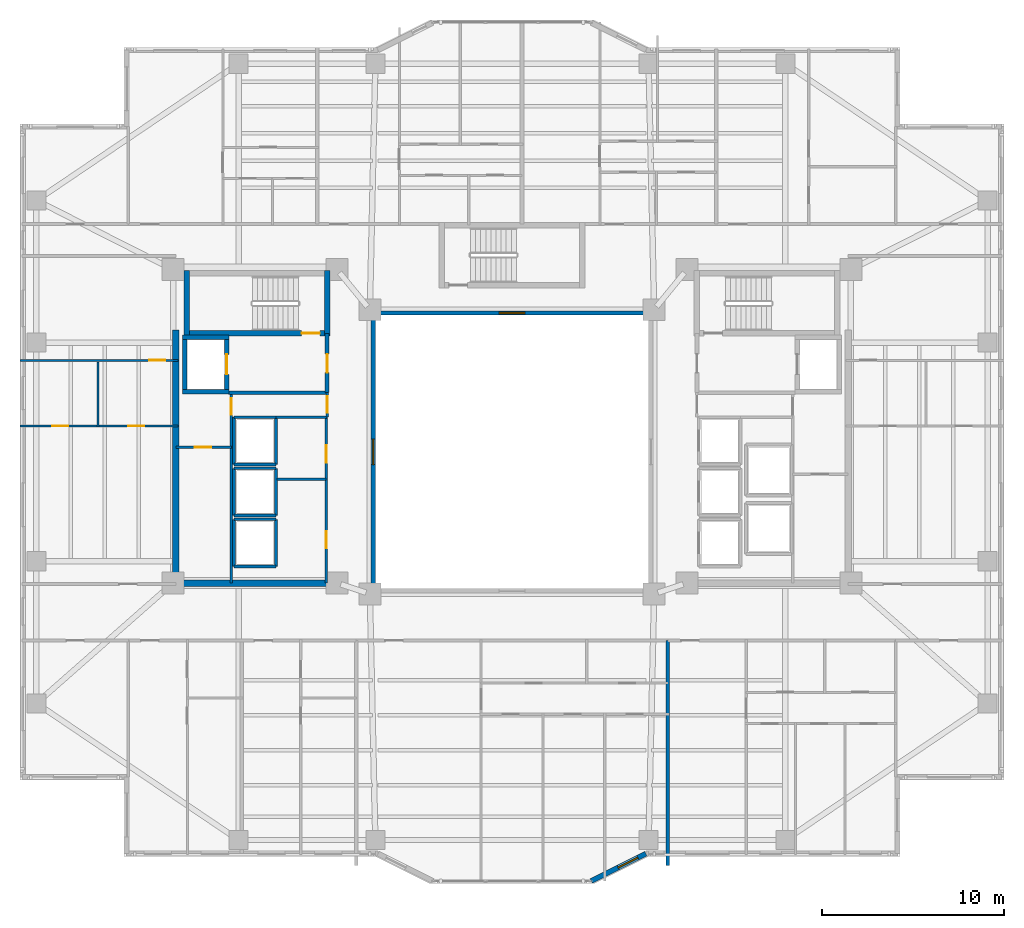
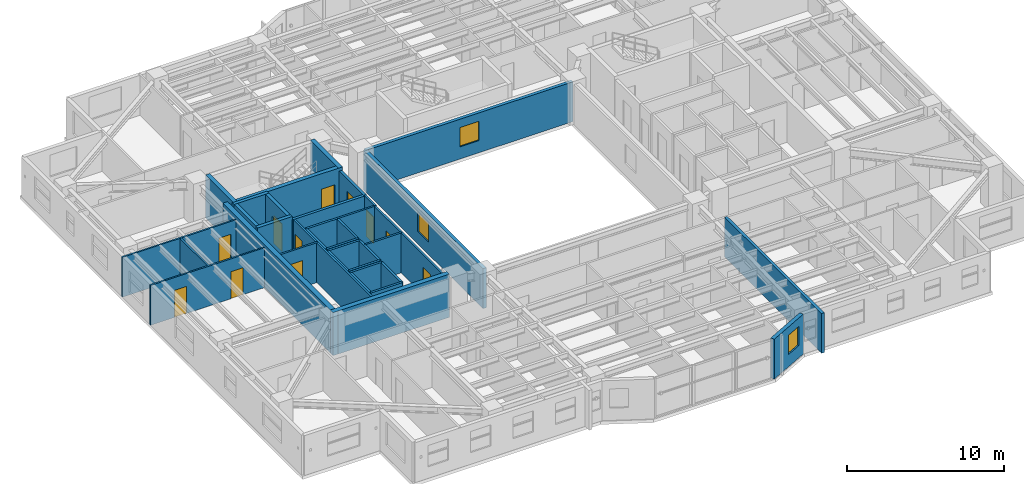
# One storey, part 7 of 19: 36 walls, 11 doors, 3 windows, 14 openings.
"""IFC4 building model written with IfcOpenShell, lengths in metres."""

import ifcopenshell
import ifcopenshell.guid

model = None  # the IFC model being written
_history = None  # IfcOwnerHistory: only IFC2X3 demands one
_inside = {}  # id of a spatial element -> (the spatial element, [elements in it])
_under = {}  # id of a project, library or spatial element -> (it, [spatial elements below it])
_declared = {}  # id of a project -> (the project, [libraries it declares])
_typed = {}  # id of a type object -> (the type object, [elements of that type])
_made_of = {}  # id of a material, layer set ... -> (it, [elements and type objects made of it])


def new_model(schema):
    """Start an empty IFC model of exactly this schema.

    Asked for "IFC4X3", IfcOpenShell would pick the latest addendum, in which some entities
    have other attributes; the version numbers below select the first issue.
    IFC2X3 requires an IfcOwnerHistory on every rooted entity: one is made here for all.
    """
    global model, _history
    if schema == "IFC4X3":
        model = ifcopenshell.file(schema_version=(4, 3, 0, 0))
    else:
        model = ifcopenshell.file(schema=schema)
    _inside.clear()
    _under.clear()
    _declared.clear()
    _typed.clear()
    _made_of.clear()
    _history = None
    if model.schema == "IFC2X3":
        org = make("IfcOrganization", Name="unknown")
        user = make(
            "IfcPersonAndOrganization",
            ThePerson=make("IfcPerson", FamilyName="unknown"),
            TheOrganization=org,
        )
        app = make(
            "IfcApplication",
            ApplicationDeveloper=org,
            Version="unknown",
            ApplicationFullName="unknown",
            ApplicationIdentifier="unknown",
        )
        _history = make(
            "IfcOwnerHistory",
            OwningUser=user,
            OwningApplication=app,
            ChangeAction="ADDED",
            CreationDate=0,
        )
    return model


def make(cls, **values):
    """One entity of the class cls with the attributes given. An attribute that is None is left unset."""
    return model.create_entity(
        cls, **{name: value for name, value in values.items() if value is not None}
    )


def rooted(cls, **values):
    """An entity with a GlobalId (a new one), such as an element, a storey or a relation."""
    return make(cls, GlobalId=ifcopenshell.guid.new(), OwnerHistory=_history, **values)


def si_unit(unit_type, name, prefix=None):
    """IfcSIUnit, for example si_unit("LENGTHUNIT", "METRE", prefix="MILLI")."""
    return make("IfcSIUnit", UnitType=unit_type, Prefix=prefix, Name=name)


def assignment(units):
    """IfcUnitAssignment: the units of a project."""
    return None if units is None else make("IfcUnitAssignment", Units=units)


def point(xyz):
    """IfcCartesianPoint."""
    return None if xyz is None else make("IfcCartesianPoint", Coordinates=xyz)


def direction(xyz):
    """IfcDirection."""
    return None if xyz is None else make("IfcDirection", DirectionRatios=xyz)


def frame(location, z_axis=None, x_axis=None):
    """IfcAxis2Placement3D, a coordinate frame: its origin and axes. An axis left out is left unset."""
    return make(
        "IfcAxis2Placement3D",
        Location=point(location),
        Axis=direction(z_axis),
        RefDirection=direction(x_axis),
    )


def frame_2d(location, x_axis=None):
    """IfcAxis2Placement2D, a coordinate frame in the plane: its origin and x axis."""
    return make(
        "IfcAxis2Placement2D", Location=point(location), RefDirection=direction(x_axis)
    )


def origin():
    """The frame at (0, 0, 0) with its axes left unset."""
    return frame((0.0, 0.0, 0.0))


def place(relative_to, where):
    """IfcLocalPlacement: puts the frame where relative to a parent placement (None: the world)."""
    return make(
        "IfcLocalPlacement", PlacementRelTo=relative_to, RelativePlacement=where
    )


def context(
    kind, dimensions, precision=None, world=None, true_north=None, identifier=None
):
    """IfcGeometricRepresentationContext, for example the 3D "Model" context."""
    return make(
        "IfcGeometricRepresentationContext",
        ContextIdentifier=identifier,
        ContextType=kind,
        CoordinateSpaceDimension=dimensions,
        Precision=precision,
        WorldCoordinateSystem=world,
        TrueNorth=true_north,
    )


def subcontext(parent, identifier, kind, view, scale=None):
    """IfcGeometricRepresentationSubContext, for example "Body" below "Model"."""
    return make(
        "IfcGeometricRepresentationSubContext",
        ContextIdentifier=identifier,
        ContextType=kind,
        ParentContext=parent,
        TargetScale=scale,
        TargetView=view,
    )


def project(units=None, contexts=None):
    """IfcProject with its units and contexts."""
    return rooted(
        "IfcProject",
        Name="project",
        RepresentationContexts=contexts,
        UnitsInContext=assignment(units),
    )


def spatial(cls, under=None, at=None, **own):
    """A site, building, storey or space (cls), placed at a placement, below another one or the project."""
    s = rooted(cls, ObjectPlacement=at, **own)
    if under is not None:
        _under.setdefault(under.id(), (under, []))[1].append(s)
    return s


def profile(cls, at=None, kind="AREA", **sizes):
    """A parametric profile (cls). Its sizes go by their IFC names, for example OverallWidth=200.0."""
    return make(cls, ProfileType=kind, Position=at, **sizes)


def rectangle(**sizes):
    """IfcRectangleProfileDef."""
    return profile("IfcRectangleProfileDef", **sizes)


def extrude(swept, where, along, depth):
    """IfcExtrudedAreaSolid: the profile swept, set in the frame where, extruded along a direction by depth."""
    return make(
        "IfcExtrudedAreaSolid",
        SweptArea=swept,
        Position=where,
        ExtrudedDirection=direction(along),
        Depth=depth,
    )


def shape(context_of_items, identifier, shape_type, items):
    """IfcShapeRepresentation: the items that make up one representation, for example the "Body"."""
    return make(
        "IfcShapeRepresentation",
        ContextOfItems=context_of_items,
        RepresentationIdentifier=identifier,
        RepresentationType=shape_type,
        Items=items,
    )


def material(Name=None, Category=None):
    """IfcMaterial."""
    return make("IfcMaterial", Name=Name, Category=Category)


def layer(
    of_material, thickness, ventilated=None, Name=None, Category=None, Priority=None
):
    """IfcMaterialLayer: one layer of a wall or slab, of a material (None: an air gap)."""
    return make(
        "IfcMaterialLayer",
        Material=of_material,
        LayerThickness=thickness,
        IsVentilated=ventilated,
        Name=Name,
        Category=Category,
        Priority=Priority,
    )


def layer_set(layers, Name=None):
    """IfcMaterialLayerSet."""
    return make("IfcMaterialLayerSet", MaterialLayers=layers, LayerSetName=Name)


def made_of(thing, what):
    """Note that an element or type object is made of a material, layer set ...; save() writes the relation."""
    if what is not None:
        _made_of.setdefault(what.id(), (what, []))[1].append(thing)
    return thing


def type_object(cls, material=None, **own):
    """A type object (cls), such as IfcWallType, which elements share."""
    return made_of(rooted(cls, **own), material)


def element(
    cls,
    number,
    at=None,
    inside=None,
    cuts=None,
    type_object=None,
    material=None,
    context=None,
    identifier="Body",
    shape_type=None,
    held_by="IfcProductDefinitionShape",
    body=None,
    shapes=None,
    **own,
):
    """One element of the class cls, such as IfcWall. Its Tag is "e" and its number.

    at: its placement. inside: the storey or other place that contains it. cuts: it is an
    opening in that element (IfcRelVoidsElement). A single representation is given by context,
    identifier, shape_type and body (its items); several are given by shapes. held_by: the class
    of the entity that holds the representations. save() writes the other relations.
    """
    e = rooted(cls, Tag="e%d" % number, ObjectPlacement=at, **own)
    if body is not None:
        shapes = [shape(context, identifier, shape_type, body)]
    if shapes is not None:
        e.Representation = make(held_by, Representations=shapes)
    if inside is not None:
        _inside.setdefault(inside.id(), (inside, []))[1].append(e)
    if cuts is not None:
        rooted(
            "IfcRelVoidsElement", RelatingBuildingElement=cuts, RelatedOpeningElement=e
        )
    if type_object is not None:
        _typed.setdefault(type_object.id(), (type_object, []))[1].append(e)
    return made_of(e, material)


def fill(opening, filler):
    """IfcRelFillsElement: the door or window that sits in an opening."""
    return rooted(
        "IfcRelFillsElement",
        RelatingOpeningElement=opening,
        RelatedBuildingElement=filler,
    )


def aggregate(whole, parts):
    """IfcRelAggregates: a whole, such as a stair, and the parts it consists of."""
    return rooted("IfcRelAggregates", RelatingObject=whole, RelatedObjects=parts)


def save(model, path):
    """Write the relations noted so far, then the file.

    IfcRelAggregates (storeys below a building ...), IfcRelContainedInSpatialStructure (elements
    in a storey), IfcRelDefinesByType, IfcRelAssociatesMaterial and IfcRelDeclares: one each for
    every whole, place, type object, material and project.
    """
    for whole, parts in _under.values():
        aggregate(whole, parts)
    for where, things in _inside.values():
        rooted(
            "IfcRelContainedInSpatialStructure",
            RelatedElements=things,
            RelatingStructure=where,
        )
    for kind, things in _typed.values():
        rooted("IfcRelDefinesByType", RelatedObjects=things, RelatingType=kind)
    for what, things in _made_of.values():
        rooted("IfcRelAssociatesMaterial", RelatedObjects=things, RelatingMaterial=what)
    for by, libraries in _declared.values():
        rooted("IfcRelDeclares", RelatingContext=by, RelatedDefinitions=libraries)
    model.write(path)


model = new_model("IFC4")

# Units and contexts
model_context = context("Model", 3, precision=1e-05, world=origin(), true_north=direction((0.0, 1.0)))
body_context = subcontext(model_context, "Body", "Model", "MODEL_VIEW")
ifc_project = project(units=[si_unit("LENGTHUNIT", "METRE"), si_unit("AREAUNIT", "SQUARE_METRE"), si_unit("VOLUMEUNIT", "CUBIC_METRE"), si_unit("PLANEANGLEUNIT", "RADIAN"), si_unit("MASSUNIT", "GRAM", prefix="KILO")], contexts=[model_context])

# Site, building, storey
site_placement = place(None, origin())
site = spatial("IfcSite", under=ifc_project, at=site_placement, CompositionType="ELEMENT")
building_placement = place(site_placement, origin())
building = spatial("IfcBuilding", under=site, at=building_placement, Name="Tarnavaz Court Tower", CompositionType="ELEMENT")
storey_placement = place(building_placement, frame((0.0, 0.0, 111.800048828125)))
storey = spatial("IfcBuildingStorey", under=building, at=storey_placement, Name="L30", CompositionType="ELEMENT", Elevation=111.800048828125)

# Wall
ifc_material_1 = material(Name="Concrete C60/75", Category="concrete")
ifc_layer_1 = layer(ifc_material_1, 0.25)
ifc_layer_set_1 = layer_set([ifc_layer_1], Name="Concrete C60/75")
wall_type_1 = type_object("IfcWallType", Name="WL-CORE-250-C60", PredefinedType="SHEAR", material=ifc_layer_set_1)
wall_1_placement = place(storey_placement, frame((-17.949951171875, 3.175048828125, 0.0), z_axis=(0.0, 0.0, 1.0), x_axis=(0.0, 1.0, 0.0)))
element("IfcWall", 1, at=wall_1_placement, inside=storey, type_object=wall_type_1, Name="L30 Lift FL-W1 Shaft Wall 017", PredefinedType="SHEAR", context=body_context, shape_type="SweptSolid", body=[
    extrude(rectangle(XDim=3.25, YDim=0.25, at=frame_2d((1.625, 0.0))), origin(), (0.0, 0.0, 1.0), 3.349853515625),
])

# Wall, opening, door
wall_2_placement = place(storey_placement, frame((-15.64990234375, 3.175048828125, 0.0), z_axis=(0.0, 0.0, 1.0), x_axis=(0.0, 1.0, 0.0)))
wall_2 = element("IfcWall", 2, at=wall_2_placement, inside=storey, type_object=wall_type_1, Name="L30 Lift FL-W1 Shaft Wall 018", PredefinedType="SHEAR", context=body_context, shape_type="SweptSolid", body=[
    extrude(rectangle(XDim=3.25, YDim=0.25, at=frame_2d((1.625, 0.0))), origin(), (0.0, 0.0, 1.0), 3.349853515625),
])
opening_1_placement = place(wall_2_placement, frame((1.074951171875, 0.0, 0.0)))
opening_1 = element("IfcOpeningElement", 3, at=opening_1_placement, cuts=wall_2, Name="Opening LD1", PredefinedType="OPENING", context=body_context, shape_type="SweptSolid", body=[
    extrude(rectangle(XDim=1.10009765625, YDim=2.14990234375, at=frame_2d((0.550048828125, 1.074951171875))), frame((0.0, 0.135009765625, 0.0), z_axis=(0.0, -1.0, 0.0), x_axis=(1.0, 0.0, 0.0)), (0.0, 0.0, 1.0), 0.27001953125),
])
ifc_material_2 = material(Name="Stainless Steel", Category="steel")
door_type_1 = type_object("IfcDoorType", Name="DR-LD-1100", OperationType="NOTDEFINED", PredefinedType="DOOR", material=ifc_material_2)
door_1_placement = place(opening_1_placement, origin())
door_1 = element("IfcDoor", 4, at=door_1_placement, inside=storey, type_object=door_type_1, Name="L30 Lift Landing Door LD-FL-W1", OperationType="SLIDING_TO_LEFT", OverallHeight=2.14990234375, OverallWidth=1.10009765625, PredefinedType="DOOR", context=body_context, shape_type="SweptSolid", body=[
    extrude(rectangle(XDim=1.10009765625, YDim=2.14990234375, at=frame_2d((0.550048828125, 1.074951171875))), frame((0.0, 0.02490234375, 0.0), z_axis=(0.0, -1.0, 0.0), x_axis=(1.0, 0.0, 0.0)), (0.0, 0.0, 1.0), 0.050048828125),
])
fill(opening_1, door_1)

# Walls
for number, where, z_axis, x_axis, name in (
    (5, (-18.074951171875, 3.300048828125, 0.0), (0.0, 0.0, 1.0), (1.0, 0.0, 0.0), "L30 Lift FL-W1 Shaft Wall 019"),
    (6, (-18.074951171875, 6.300048828125, 0.0), (0.0, 0.0, 1.0), (1.0, 0.0, 0.0), "L30 Lift FL-W1 Shaft Wall 020"),
):
    element("IfcWall", number, at=place(storey_placement, frame(where, z_axis=z_axis, x_axis=x_axis)), inside=storey, type_object=wall_type_1, Name=name, PredefinedType="SHEAR", context=body_context, shape_type="SweptSolid", body=[
        extrude(rectangle(XDim=2.550048828125, YDim=0.25, at=frame_2d((1.27490234375, 0.0))), origin(), (0.0, 0.0, 1.0), 3.349853515625),
    ])

# Wall, opening, door
ifc_layer_2 = layer(ifc_material_1, 0.300048828125)
ifc_layer_set_2 = layer_set([ifc_layer_2], Name="Concrete C60/75")
wall_type_2 = type_object("IfcWallType", Name="WL-CORE-300-C60", PredefinedType="SHEAR", material=ifc_layer_set_2)
wall_3_placement = place(storey_placement, frame((-18.0, 6.5, 0.0), z_axis=(0.0, 0.0, 1.0), x_axis=(1.0, 0.0, 0.0)))
wall_3 = element("IfcWall", 7, at=wall_3_placement, inside=storey, type_object=wall_type_2, Name="L30 West Stair Core Wall 002", PredefinedType="SHEAR", context=body_context, shape_type="SweptSolid", body=[
    extrude(rectangle(XDim=8.0, YDim=0.300048828125, at=frame_2d((4.0, 0.0))), origin(), (0.0, 0.0, 1.0), 3.349853515625),
])
opening_2_placement = place(wall_3_placement, frame((6.449951171875, 0.0, 0.0)))
opening_2 = element("IfcOpeningElement", 8, at=opening_2_placement, cuts=wall_3, Name="Opening D01", PredefinedType="OPENING", context=body_context, shape_type="SweptSolid", body=[
    extrude(rectangle(XDim=1.0, YDim=2.14990234375, at=frame_2d((0.5, 1.074951171875))), frame((0.0, 0.159912109375, 0.0), z_axis=(0.0, -1.0, 0.0), x_axis=(1.0, 0.0, 0.0)), (0.0, 0.0, 1.0), 0.320068359375),
])
ifc_material_3 = material(Name="Fire-Rated Hardwood Timber Core", Category="wood")
door_type_2 = type_object("IfcDoorType", Name="DR-FD90-1000", OperationType="NOTDEFINED", PredefinedType="DOOR", material=ifc_material_3)
door_2_placement = place(opening_2_placement, origin())
door_2 = element("IfcDoor", 9, at=door_2_placement, inside=storey, type_object=door_type_2, Name="L30 Stair ST-W1 Exit Door", OperationType="SINGLE_SWING_LEFT", OverallHeight=2.14990234375, OverallWidth=1.0, PredefinedType="DOOR", context=body_context, shape_type="SweptSolid", body=[
    extrude(rectangle(XDim=1.0, YDim=2.14990234375, at=frame_2d((0.5, 1.074951171875))), frame((0.0, 0.02490234375, 0.0), z_axis=(0.0, -1.0, 0.0), x_axis=(1.0, 0.0, 0.0)), (0.0, 0.0, 1.0), 0.050048828125),
])
fill(opening_2, door_2)

# Walls
for number, where, z_axis, x_axis, name in (
    (10, (-17.85009765625, 6.35009765625, 0.0), (0.0, 0.0, 1.0), (0.0, 1.0, 0.0), "L30 West Stair Core Wall 003"),
    (11, (-10.14990234375, 6.35009765625, 0.0), (0.0, 0.0, 1.0), (0.0, 1.0, 0.0), "L30 West Stair Core Wall 004"),
):
    element("IfcWall", number, at=place(storey_placement, frame(where, z_axis=z_axis, x_axis=x_axis)), inside=storey, type_object=wall_type_2, Name=name, PredefinedType="SHEAR", context=body_context, shape_type="SweptSolid", body=[
        extrude(rectangle(XDim=3.58984375, YDim=0.300048828125, at=frame_2d((1.794921875, 0.0))), origin(), (0.0, 0.0, 1.0), 3.349853515625),
    ])
ifc_layer_3 = layer(ifc_material_1, 0.35009765625)
ifc_layer_set_3 = layer_set([ifc_layer_3], Name="Concrete C60/75")
wall_type_3 = type_object("IfcWallType", Name="WL-CORE-350-C60", PredefinedType="SHEAR", material=ifc_layer_set_3)
wall_4_placement = place(storey_placement, frame((-18.449951171875, -7.375, 0.0), z_axis=(0.0, 0.0, 1.0), x_axis=(0.0, 1.0, 0.0)))
element("IfcWall", 12, at=wall_4_placement, inside=storey, type_object=wall_type_3, Name="L30 West Core Shear Wall 057", PredefinedType="SHEAR", context=body_context, shape_type="SweptSolid", body=[
    extrude(rectangle(XDim=14.050048828125, YDim=0.35009765625, at=frame_2d((7.02490234375, 0.0))), origin(), (0.0, 0.0, 1.0), 3.349853515625),
])
wall_5_placement = place(storey_placement, frame((-18.625, -7.199951171875, 0.0), z_axis=(0.0, 0.0, 1.0), x_axis=(1.0, 0.0, 0.0)))
element("IfcWall", 13, at=wall_5_placement, inside=storey, type_object=wall_type_3, Name="L30 West Core South Shear Wall 058", PredefinedType="SHEAR", context=body_context, shape_type="SweptSolid", body=[
    extrude(rectangle(XDim=8.550048828125, YDim=0.35009765625, at=frame_2d((4.27490234375, 0.0))), origin(), (0.0, 0.0, 1.0), 3.349853515625),
])

# Wall, opening, window
ifc_material_4 = material(Name="Precast Concrete C40/50", Category="concrete")
ifc_layer_4 = layer(ifc_material_4, 0.280029296875)
ifc_layer_set_4 = layer_set([ifc_layer_4], Name="Precast Concrete C40/50")
wall_type_4 = type_object("IfcWallType", Name="WL-EXT-280", PredefinedType="SOLIDWALL", material=ifc_layer_set_4)
wall_6_placement = place(storey_placement, frame((7.35009765625, -22.050048828125, 0.0), z_axis=(0.0, 0.0, 1.0), x_axis=(-0.894427191, -0.4472135955, 0.0)))
wall_6 = element("IfcWall", 14, at=wall_6_placement, inside=storey, type_object=wall_type_4, Name="L30 Exterior Terracotta Facade Wall 16", PredefinedType="SOLIDWALL", context=body_context, shape_type="SweptSolid", body=[
    extrude(rectangle(XDim=3.35400390625, YDim=0.280029296875, at=frame_2d((1.677001953125, 0.0))), origin(), (0.0, 0.0, 1.0), 3.099853515625),
])
opening_3_placement = place(wall_6_placement, frame((0.501220703125, 0.0, 0.949951171875)))
opening_3 = element("IfcOpeningElement", 15, at=opening_3_placement, cuts=wall_6, Name="Opening W05", PredefinedType="OPENING", context=body_context, shape_type="SweptSolid", body=[
    extrude(rectangle(XDim=1.199951171875, YDim=1.5, at=frame_2d((0.60009765625, 0.75))), frame((0.0, 0.14990234375, 0.0), z_axis=(0.0, -1.0, 0.0), x_axis=(1.0, 0.0, 0.0)), (0.0, 0.0, 1.0), 0.300048828125),
])
ifc_material_5 = material(Name="Double-Glazed Solar Low-E Glass", Category="glass")
window_type_1 = type_object("IfcWindowType", Name="WN-APT-1200", PartitioningType="SINGLE_PANEL", PredefinedType="WINDOW", material=ifc_material_5)
window_1_placement = place(opening_3_placement, origin())
window_1 = element("IfcWindow", 16, at=window_1_placement, inside=storey, type_object=window_type_1, Name="L30 Flat 08 Bedroom 3 Window", OverallHeight=1.5, OverallWidth=1.199951171875, PartitioningType="SINGLE_PANEL", PredefinedType="WINDOW", context=body_context, shape_type="SweptSolid", body=[
    extrude(rectangle(XDim=1.199951171875, YDim=1.5, at=frame_2d((0.60009765625, 0.75))), frame((0.0, 0.030029296875, 0.0), z_axis=(0.0, -1.0, 0.0), x_axis=(1.0, 0.0, 0.0)), (0.0, 0.0, 1.0), 0.06005859375),
])
fill(opening_3, window_1)

# Wall
ifc_material_6 = material(Name="Autoclaved Aerated Concrete Blockwork", Category="masonry")
ifc_layer_5 = layer(ifc_material_6, 0.199951171875)
ifc_layer_set_5 = layer_set([ifc_layer_5], Name="Autoclaved Aerated Concrete Blockwork")
wall_type_5 = type_object("IfcWallType", Name="WL-FIRE-200", PredefinedType="SOLIDWALL", material=ifc_layer_set_5)
wall_7_placement = place(storey_placement, frame((-15.550048828125, 3.25, 0.0), z_axis=(0.0, 0.0, 1.0), x_axis=(1.0, 0.0, 0.0)))
element("IfcWall", 17, at=wall_7_placement, inside=storey, type_object=wall_type_5, Name="L30 West Firefighting Lobby Wall 013", PredefinedType="SOLIDWALL", context=body_context, shape_type="SweptSolid", body=[
    extrude(rectangle(XDim=5.400146484375, YDim=0.199951171875, at=frame_2d((2.7001953125, 0.0))), origin(), (0.0, 0.0, 1.0), 3.099853515625),
])

# Wall, opening, door
wall_8_placement = place(storey_placement, frame((-10.14990234375, 3.25, 0.0), z_axis=(0.0, 0.0, 1.0), x_axis=(0.0, 1.0, 0.0)))
wall_8 = element("IfcWall", 18, at=wall_8_placement, inside=storey, type_object=wall_type_5, Name="L30 West Firefighting Lobby Wall 014", PredefinedType="SOLIDWALL", context=body_context, shape_type="SweptSolid", body=[
    extrude(rectangle(XDim=3.25, YDim=0.199951171875, at=frame_2d((1.625, 0.0))), origin(), (0.0, 0.0, 1.0), 3.099853515625),
])
opening_4_placement = place(wall_8_placement, frame((1.10009765625, 0.0, 0.0)))
opening_4 = element("IfcOpeningElement", 19, at=opening_4_placement, cuts=wall_8, Name="Opening D05", PredefinedType="OPENING", context=body_context, shape_type="SweptSolid", body=[
    extrude(rectangle(XDim=1.02001953125, YDim=2.14990234375, at=frame_2d((0.510009765625, 1.074951171875))), frame((0.0, 0.10986328125, 0.0), z_axis=(0.0, -1.0, 0.0), x_axis=(1.0, 0.0, 0.0)), (0.0, 0.0, 1.0), 0.219970703125),
])
door_type_3 = type_object("IfcDoorType", Name="DR-FD60-1000", OperationType="NOTDEFINED", PredefinedType="DOOR", material=ifc_material_3)
door_3_placement = place(opening_4_placement, origin())
door_3 = element("IfcDoor", 20, at=door_3_placement, inside=storey, type_object=door_type_3, Name="L30 West Firefighting Lobby Door", OperationType="SINGLE_SWING_RIGHT", OverallHeight=2.14990234375, OverallWidth=1.02001953125, PredefinedType="DOOR", context=body_context, shape_type="SweptSolid", body=[
    extrude(rectangle(XDim=1.02001953125, YDim=2.14990234375, at=frame_2d((0.510009765625, 1.074951171875))), frame((0.0, 0.02490234375, 0.0), z_axis=(0.0, -1.0, 0.0), x_axis=(1.0, 0.0, 0.0)), (0.0, 0.0, 1.0), 0.050048828125),
])
fill(opening_4, door_3)

# Wall
wall_9_placement = place(storey_placement, frame((8.550048828125, -22.7041015625, 0.0), z_axis=(0.0, 0.0, 1.0), x_axis=(0.0, 1.0, 0.0)))
element("IfcWall", 21, at=wall_9_placement, inside=storey, type_object=wall_type_5, Name="L30 Party Wall 113", PredefinedType="SOLIDWALL", context=body_context, shape_type="SweptSolid", body=[
    extrude(rectangle(XDim=12.35400390625, YDim=0.199951171875, at=frame_2d((6.177001953125, 0.0))), origin(), (0.0, 0.0, 1.0), 3.099853515625),
])

# Wall, openings, doors
ifc_material_7 = material(Name="Moisture-Resistant Gypsum Board Partition", Category="masonry")
ifc_layer_6 = layer(ifc_material_7, 0.1201171875)
ifc_layer_set_6 = layer_set([ifc_layer_6], Name="Moisture-Resistant Gypsum Board Partition")
wall_type_6 = type_object("IfcWallType", Name="WL-PART-120", PredefinedType="PARTITIONING", material=ifc_layer_set_6)
wall_10_placement = place(storey_placement, frame((-27.0, 1.419921875, 0.0), z_axis=(0.0, 0.0, 1.0), x_axis=(1.0, 0.0, 0.0)))
wall_10 = element("IfcWall", 22, at=wall_10_placement, inside=storey, type_object=wall_type_6, Name="L30 Interior Partition 134", PredefinedType="PARTITIONING", context=body_context, shape_type="SweptSolid", body=[
    extrude(rectangle(XDim=8.669921875, YDim=0.1201171875, at=frame_2d((4.3349609375, 0.0))), origin(), (0.0, 0.0, 1.0), 3.099853515625),
])
opening_5_placement = place(wall_10_placement, frame((1.762939453125, 0.0, 0.0)))
opening_5 = element("IfcOpeningElement", 23, at=opening_5_placement, cuts=wall_10, Name="Opening D14", PredefinedType="OPENING", context=body_context, shape_type="SweptSolid", body=[
    extrude(rectangle(XDim=0.8798828125, YDim=2.10009765625, at=frame_2d((0.43994140625, 1.050048828125))), frame((0.0, 0.070068359375, 0.0), z_axis=(0.0, -1.0, 0.0), x_axis=(1.0, 0.0, 0.0)), (0.0, 0.0, 1.0), 0.14013671875),
])
opening_6_placement = place(wall_10_placement, frame((5.927978515625, 0.0, 0.0)))
opening_6 = element("IfcOpeningElement", 24, at=opening_6_placement, cuts=wall_10, Name="Opening D14", PredefinedType="OPENING", context=body_context, shape_type="SweptSolid", body=[
    extrude(rectangle(XDim=0.8798828125, YDim=2.10009765625, at=frame_2d((0.43994140625, 1.050048828125))), frame((0.0, 0.070068359375, 0.0), z_axis=(0.0, -1.0, 0.0), x_axis=(1.0, 0.0, 0.0)), (0.0, 0.0, 1.0), 0.14013671875),
])
ifc_material_8 = material(Name="Engineered Oak Timber", Category="wood")
door_type_4 = type_object("IfcDoorType", Name="DR-INT-900", OperationType="NOTDEFINED", PredefinedType="DOOR", material=ifc_material_8)
door_4_placement = place(opening_5_placement, origin())
door_4 = element("IfcDoor", 25, at=door_4_placement, inside=storey, type_object=door_type_4, Name="L30 Flat 09 Kitchen Door", OperationType="SINGLE_SWING_RIGHT", OverallHeight=2.10009765625, OverallWidth=0.8798828125, PredefinedType="DOOR", context=body_context, shape_type="SweptSolid", body=[
    extrude(rectangle(XDim=0.8798828125, YDim=2.10009765625, at=frame_2d((0.43994140625, 1.050048828125))), frame((0.0, 0.02490234375, 0.0), z_axis=(0.0, -1.0, 0.0), x_axis=(1.0, 0.0, 0.0)), (0.0, 0.0, 1.0), 0.050048828125),
])
fill(opening_5, door_4)
door_5_placement = place(opening_6_placement, origin())
door_5 = element("IfcDoor", 26, at=door_5_placement, inside=storey, type_object=door_type_4, Name="L30 Flat 09 Bathroom Door", OperationType="SINGLE_SWING_LEFT", OverallHeight=2.10009765625, OverallWidth=0.8798828125, PredefinedType="DOOR", context=body_context, shape_type="SweptSolid", body=[
    extrude(rectangle(XDim=0.8798828125, YDim=2.10009765625, at=frame_2d((0.43994140625, 1.050048828125))), frame((0.0, 0.02490234375, 0.0), z_axis=(0.0, -1.0, 0.0), x_axis=(1.0, 0.0, 0.0)), (0.0, 0.0, 1.0), 0.050048828125),
])
fill(opening_6, door_5)

# Wall, opening, door
wall_11_placement = place(storey_placement, frame((-27.0, 5.02001953125, 0.0), z_axis=(0.0, 0.0, 1.0), x_axis=(1.0, 0.0, 0.0)))
wall_11 = element("IfcWall", 27, at=wall_11_placement, inside=storey, type_object=wall_type_6, Name="L30 Interior Partition 135", PredefinedType="PARTITIONING", context=body_context, shape_type="SweptSolid", body=[
    extrude(rectangle(XDim=8.669921875, YDim=0.1201171875, at=frame_2d((4.3349609375, 0.0))), origin(), (0.0, 0.0, 1.0), 3.099853515625),
])
opening_7_placement = place(wall_11_placement, frame((7.10009765625, 0.0, 0.0)))
opening_7 = element("IfcOpeningElement", 28, at=opening_7_placement, cuts=wall_11, Name="Opening D14", PredefinedType="OPENING", context=body_context, shape_type="SweptSolid", body=[
    extrude(rectangle(XDim=0.8798828125, YDim=2.10009765625, at=frame_2d((0.43994140625, 1.050048828125))), frame((0.0, 0.070068359375, 0.0), z_axis=(0.0, -1.0, 0.0), x_axis=(1.0, 0.0, 0.0)), (0.0, 0.0, 1.0), 0.14013671875),
])
door_6_placement = place(opening_7_placement, origin())
door_6 = element("IfcDoor", 29, at=door_6_placement, inside=storey, type_object=door_type_4, Name="L30 Flat 09 Study Door", OperationType="SINGLE_SWING_RIGHT", OverallHeight=2.10009765625, OverallWidth=0.8798828125, PredefinedType="DOOR", context=body_context, shape_type="SweptSolid", body=[
    extrude(rectangle(XDim=0.8798828125, YDim=2.10009765625, at=frame_2d((0.43994140625, 1.050048828125))), frame((0.0, 0.02490234375, 0.0), z_axis=(0.0, -1.0, 0.0), x_axis=(1.0, 0.0, 0.0)), (0.0, 0.0, 1.0), 0.050048828125),
])
fill(opening_7, door_6)

# Walls
wall_12_placement = place(storey_placement, frame((-22.715087890625, 1.360107421875, 0.0), z_axis=(0.0, 0.0, 1.0), x_axis=(0.0, 1.0, 0.0)))
element("IfcWall", 30, at=wall_12_placement, inside=storey, type_object=wall_type_6, Name="L30 Interior Partition 136", PredefinedType="PARTITIONING", context=body_context, shape_type="SweptSolid", body=[
    extrude(rectangle(XDim=3.579833984375, YDim=0.1201171875, at=frame_2d((1.7900390625, 0.0))), origin(), (0.0, 0.0, 1.0), 3.099853515625),
])
ifc_material_9 = material(Name="Gypsum Plasterboard Acoustic Partition", Category="masonry")
ifc_layer_7 = layer(ifc_material_9, 0.139892578125)
ifc_layer_set_7 = layer_set([ifc_layer_7], Name="Gypsum Plasterboard Acoustic Partition")
wall_type_7 = type_object("IfcWallType", Name="WL-PART-150", PredefinedType="PARTITIONING", material=ifc_layer_set_7)
wall_13_placement = place(storey_placement, frame((-12.949951171875, 1.89990234375, 0.0), z_axis=(0.0, 0.0, 1.0), x_axis=(1.0, 0.0, 0.0)))
element("IfcWall", 31, at=wall_13_placement, inside=storey, type_object=wall_type_7, Name="L30 Interior Partition 061", PredefinedType="PARTITIONING", context=body_context, shape_type="SweptSolid", body=[
    extrude(rectangle(XDim=2.800048828125, YDim=0.139892578125, at=frame_2d((1.39990234375, 0.0))), origin(), (0.0, 0.0, 1.0), 3.099853515625),
])

# Wall, opening, door
wall_14_placement = place(storey_placement, frame((-10.14990234375, 1.919921875, 0.0), z_axis=(0.0, 0.0, 1.0), x_axis=(0.0, 1.0, 0.0)))
wall_14 = element("IfcWall", 32, at=wall_14_placement, inside=storey, type_object=wall_type_7, Name="L30 Interior Partition 062", PredefinedType="PARTITIONING", context=body_context, shape_type="SweptSolid", body=[
    extrude(rectangle(XDim=1.330078125, YDim=0.139892578125, at=frame_2d((0.6650390625, 0.0))), origin(), (0.0, 0.0, 1.0), 3.099853515625),
])
opening_8_placement = place(wall_14_placement, frame((0.219970703125, 0.0, 0.0)))
opening_8 = element("IfcOpeningElement", 33, at=opening_8_placement, cuts=wall_14, Name="Opening D09", PredefinedType="OPENING", context=body_context, shape_type="SweptSolid", body=[
    extrude(rectangle(XDim=0.89990234375, YDim=2.080078125, at=frame_2d((0.449951171875, 1.0400390625))), frame((0.0, 0.079833984375, 0.0), z_axis=(0.0, -1.0, 0.0), x_axis=(1.0, 0.0, 0.0)), (0.0, 0.0, 1.0), 0.159912109375),
])
door_type_5 = type_object("IfcDoorType", Name="DR-FD30-900", OperationType="NOTDEFINED", PredefinedType="DOOR", material=ifc_material_3)
door_7_placement = place(opening_8_placement, origin())
door_7 = element("IfcDoor", 34, at=door_7_placement, inside=storey, type_object=door_type_5, Name="L30 West Core Service Lobby Door", OperationType="SINGLE_SWING_LEFT", OverallHeight=2.080078125, OverallWidth=0.89990234375, PredefinedType="DOOR", context=body_context, shape_type="SweptSolid", body=[
    extrude(rectangle(XDim=0.89990234375, YDim=2.080078125, at=frame_2d((0.449951171875, 1.0400390625))), frame((0.0, 0.02490234375, 0.0), z_axis=(0.0, -1.0, 0.0), x_axis=(1.0, 0.0, 0.0)), (0.0, 0.0, 1.0), 0.050048828125),
])
fill(opening_8, door_7)

wall_15_placement = place(storey_placement, frame((-15.39990234375, -7.199951171875, 0.0), z_axis=(0.0, 0.0, 1.0), x_axis=(0.0, 1.0, 0.0)))
wall_15 = element("IfcWall", 35, at=wall_15_placement, inside=storey, type_object=wall_type_7, Name="L30 Interior Partition 063", PredefinedType="PARTITIONING", context=body_context, shape_type="SweptSolid", body=[
    extrude(rectangle(XDim=10.449951171875, YDim=0.139892578125, at=frame_2d((5.22509765625, 0.0))), origin(), (0.0, 0.0, 1.0), 3.099853515625),
])
opening_9_placement = place(wall_15_placement, frame((9.25, 0.0, 0.0)))
opening_9 = element("IfcOpeningElement", 36, at=opening_9_placement, cuts=wall_15, Name="Opening D09", PredefinedType="OPENING", context=body_context, shape_type="SweptSolid", body=[
    extrude(rectangle(XDim=0.89990234375, YDim=2.080078125, at=frame_2d((0.449951171875, 1.0400390625))), frame((0.0, 0.079833984375, 0.0), z_axis=(0.0, -1.0, 0.0), x_axis=(1.0, 0.0, 0.0)), (0.0, 0.0, 1.0), 0.159912109375),
])
door_8_placement = place(opening_9_placement, origin())
door_8 = element("IfcDoor", 37, at=door_8_placement, inside=storey, type_object=door_type_5, Name="L30 West Data Room Door", OperationType="SINGLE_SWING_RIGHT", OverallHeight=2.080078125, OverallWidth=0.89990234375, PredefinedType="DOOR", context=body_context, shape_type="SweptSolid", body=[
    extrude(rectangle(XDim=0.89990234375, YDim=2.080078125, at=frame_2d((0.449951171875, 1.0400390625))), frame((0.0, 0.02490234375, 0.0), z_axis=(0.0, -1.0, 0.0), x_axis=(1.0, 0.0, 0.0)), (0.0, 0.0, 1.0), 0.050048828125),
])
fill(opening_9, door_8)

wall_16_placement = place(storey_placement, frame((-18.449951171875, 0.25, 0.0), z_axis=(0.0, 0.0, 1.0), x_axis=(1.0, 0.0, 0.0)))
wall_16 = element("IfcWall", 38, at=wall_16_placement, inside=storey, type_object=wall_type_7, Name="L30 Interior Partition 064", PredefinedType="PARTITIONING", context=body_context, shape_type="SweptSolid", body=[
    extrude(rectangle(XDim=3.050048828125, YDim=0.139892578125, at=frame_2d((1.52490234375, 0.0))), origin(), (0.0, 0.0, 1.0), 3.099853515625),
])
opening_10_placement = place(wall_16_placement, frame((1.050048828125, 0.0, 0.0)))
opening_10 = element("IfcOpeningElement", 39, at=opening_10_placement, cuts=wall_16, Name="Opening D09", PredefinedType="OPENING", context=body_context, shape_type="SweptSolid", body=[
    extrude(rectangle(XDim=0.89990234375, YDim=2.080078125, at=frame_2d((0.449951171875, 1.0400390625))), frame((0.0, 0.079833984375, 0.0), z_axis=(0.0, -1.0, 0.0), x_axis=(1.0, 0.0, 0.0)), (0.0, 0.0, 1.0), 0.159912109375),
])
door_9_placement = place(opening_10_placement, origin())
door_9 = element("IfcDoor", 40, at=door_9_placement, inside=storey, type_object=door_type_5, Name="L30 West Mechanical Riser Door", OperationType="SINGLE_SWING_LEFT", OverallHeight=2.080078125, OverallWidth=0.89990234375, PredefinedType="DOOR", context=body_context, shape_type="SweptSolid", body=[
    extrude(rectangle(XDim=0.89990234375, YDim=2.080078125, at=frame_2d((0.449951171875, 1.0400390625))), frame((0.0, 0.02490234375, 0.0), z_axis=(0.0, -1.0, 0.0), x_axis=(1.0, 0.0, 0.0)), (0.0, 0.0, 1.0), 0.050048828125),
])
fill(opening_10, door_9)

# Wall, openings, doors
wall_17_placement = place(storey_placement, frame((-10.199951171875, -7.199951171875, 0.0), z_axis=(0.0, 0.0, 1.0), x_axis=(0.0, 1.0, 0.0)))
wall_17 = element("IfcWall", 41, at=wall_17_placement, inside=storey, type_object=wall_type_7, Name="L30 West Reclaimed Core Wall 065", PredefinedType="PARTITIONING", context=body_context, shape_type="SweptSolid", body=[
    extrude(rectangle(XDim=9.119873046875, YDim=0.139892578125, at=frame_2d((4.56005859375, 0.0))), origin(), (0.0, 0.0, 1.0), 3.099853515625),
])
opening_11_placement = place(wall_17_placement, frame((1.89990234375, 0.0, 0.0)))
opening_11 = element("IfcOpeningElement", 42, at=opening_11_placement, cuts=wall_17, Name="Opening D08", PredefinedType="OPENING", context=body_context, shape_type="SweptSolid", body=[
    extrude(rectangle(XDim=0.949951171875, YDim=2.1201171875, at=frame_2d((0.47509765625, 1.06005859375))), frame((0.0, 0.079833984375, 0.0), z_axis=(0.0, -1.0, 0.0), x_axis=(1.0, 0.0, 0.0)), (0.0, 0.0, 1.0), 0.159912109375),
])
opening_12_placement = place(wall_17_placement, frame((6.60009765625, 0.0, 0.0)))
opening_12 = element("IfcOpeningElement", 43, at=opening_12_placement, cuts=wall_17, Name="Opening D08", PredefinedType="OPENING", context=body_context, shape_type="SweptSolid", body=[
    extrude(rectangle(XDim=0.949951171875, YDim=2.1201171875, at=frame_2d((0.47509765625, 1.06005859375))), frame((0.0, 0.079833984375, 0.0), z_axis=(0.0, -1.0, 0.0), x_axis=(1.0, 0.0, 0.0)), (0.0, 0.0, 1.0), 0.159912109375),
])
door_type_6 = type_object("IfcDoorType", Name="DR-FD30-950", OperationType="NOTDEFINED", PredefinedType="DOOR", material=ifc_material_3)
door_10_placement = place(opening_11_placement, origin())
door_10 = element("IfcDoor", 44, at=door_10_placement, inside=storey, type_object=door_type_6, Name="L30 West Study Room Door", OperationType="SINGLE_SWING_RIGHT", OverallHeight=2.1201171875, OverallWidth=0.949951171875, PredefinedType="DOOR", context=body_context, shape_type="SweptSolid", body=[
    extrude(rectangle(XDim=0.949951171875, YDim=2.1201171875, at=frame_2d((0.47509765625, 1.06005859375))), frame((0.0, 0.02490234375, 0.0), z_axis=(0.0, -1.0, 0.0), x_axis=(1.0, 0.0, 0.0)), (0.0, 0.0, 1.0), 0.050048828125),
])
fill(opening_11, door_10)
door_11_placement = place(opening_12_placement, origin())
door_11 = element("IfcDoor", 45, at=door_11_placement, inside=storey, type_object=door_type_6, Name="L30 West Laundry Room Door", OperationType="SINGLE_SWING_LEFT", OverallHeight=2.1201171875, OverallWidth=0.949951171875, PredefinedType="DOOR", context=body_context, shape_type="SweptSolid", body=[
    extrude(rectangle(XDim=0.949951171875, YDim=2.1201171875, at=frame_2d((0.47509765625, 1.06005859375))), frame((0.0, 0.02490234375, 0.0), z_axis=(0.0, -1.0, 0.0), x_axis=(1.0, 0.0, 0.0)), (0.0, 0.0, 1.0), 0.050048828125),
])
fill(opening_12, door_11)

# Walls
wall_18_placement = place(storey_placement, frame((-12.89990234375, -1.5, 0.0), z_axis=(0.0, 0.0, 1.0), x_axis=(1.0, 0.0, 0.0)))
element("IfcWall", 46, at=wall_18_placement, inside=storey, type_object=wall_type_7, Name="L30 Interior Partition 066", PredefinedType="PARTITIONING", context=body_context, shape_type="SweptSolid", body=[
    extrude(rectangle(XDim=2.699951171875, YDim=0.139892578125, at=frame_2d((1.35009765625, 0.0))), origin(), (0.0, 0.0, 1.0), 3.099853515625),
])
ifc_layer_8 = layer(ifc_material_6, 0.159912109375)
ifc_layer_set_8 = layer_set([ifc_layer_8], Name="Autoclaved Aerated Concrete Blockwork")
wall_type_8 = type_object("IfcWallType", Name="WL-SHAFT-150", PredefinedType="SOLIDWALL", material=ifc_layer_set_8)
for number, where, z_axis, x_axis, name in (
    (47, (-15.25, -6.300048828125, 0.0), (0.0, 0.0, 1.0), (0.0, 1.0, 0.0), "L30 Lift PL-H1 Shaft Wall 021"),
    (48, (-12.949951171875, -6.300048828125, 0.0), (0.0, 0.0, 1.0), (0.0, 1.0, 0.0), "L30 Lift PL-H1 Shaft Wall 022"),
):
    element("IfcWall", number, at=place(storey_placement, frame(where, z_axis=z_axis, x_axis=x_axis)), inside=storey, type_object=wall_type_8, Name=name, PredefinedType="SOLIDWALL", context=body_context, shape_type="SweptSolid", body=[
        extrude(rectangle(XDim=2.60009765625, YDim=0.159912109375, at=frame_2d((1.300048828125, 0.0))), origin(), (0.0, 0.0, 1.0), 3.099853515625),
    ])
for number, where, z_axis, x_axis, name in (
    (49, (-15.25, -6.300048828125, 0.0), (0.0, 0.0, 1.0), (1.0, 0.0, 0.0), "L30 Lift PL-H1 Shaft Wall 023"),
    (50, (-15.25, -3.699951171875, 0.0), (0.0, 0.0, 1.0), (1.0, 0.0, 0.0), "L30 Lift PL-H1 Shaft Wall 024"),
):
    element("IfcWall", number, at=place(storey_placement, frame(where, z_axis=z_axis, x_axis=x_axis)), inside=storey, type_object=wall_type_8, Name=name, PredefinedType="SOLIDWALL", context=body_context, shape_type="SweptSolid", body=[
        extrude(rectangle(XDim=2.300048828125, YDim=0.159912109375, at=frame_2d((1.14990234375, 0.0))), origin(), (0.0, 0.0, 1.0), 3.099853515625),
    ])
for number, where, z_axis, x_axis, name in (
    (51, (-15.25, -3.5, 0.0), (0.0, 0.0, 1.0), (0.0, 1.0, 0.0), "L30 Lift PL-H2 Shaft Wall 025"),
    (52, (-12.949951171875, -3.5, 0.0), (0.0, 0.0, 1.0), (0.0, 1.0, 0.0), "L30 Lift PL-H2 Shaft Wall 026"),
):
    element("IfcWall", number, at=place(storey_placement, frame(where, z_axis=z_axis, x_axis=x_axis)), inside=storey, type_object=wall_type_8, Name=name, PredefinedType="SOLIDWALL", context=body_context, shape_type="SweptSolid", body=[
        extrude(rectangle(XDim=2.60009765625, YDim=0.159912109375, at=frame_2d((1.300048828125, 0.0))), origin(), (0.0, 0.0, 1.0), 3.099853515625),
    ])
for number, where, z_axis, x_axis, name in (
    (53, (-15.25, -3.5, 0.0), (0.0, 0.0, 1.0), (1.0, 0.0, 0.0), "L30 Lift PL-H2 Shaft Wall 027"),
    (54, (-15.25, -0.89990234375, 0.0), (0.0, 0.0, 1.0), (1.0, 0.0, 0.0), "L30 Lift PL-H2 Shaft Wall 028"),
):
    element("IfcWall", number, at=place(storey_placement, frame(where, z_axis=z_axis, x_axis=x_axis)), inside=storey, type_object=wall_type_8, Name=name, PredefinedType="SOLIDWALL", context=body_context, shape_type="SweptSolid", body=[
        extrude(rectangle(XDim=2.300048828125, YDim=0.159912109375, at=frame_2d((1.14990234375, 0.0))), origin(), (0.0, 0.0, 1.0), 3.099853515625),
    ])
for number, where, z_axis, x_axis, name in (
    (55, (-15.25, -0.699951171875, 0.0), (0.0, 0.0, 1.0), (0.0, 1.0, 0.0), "L30 Lift PL-H3 Shaft Wall 029"),
    (56, (-12.949951171875, -0.699951171875, 0.0), (0.0, 0.0, 1.0), (0.0, 1.0, 0.0), "L30 Lift PL-H3 Shaft Wall 030"),
):
    element("IfcWall", number, at=place(storey_placement, frame(where, z_axis=z_axis, x_axis=x_axis)), inside=storey, type_object=wall_type_8, Name=name, PredefinedType="SOLIDWALL", context=body_context, shape_type="SweptSolid", body=[
        extrude(rectangle(XDim=2.599853515625, YDim=0.159912109375, at=frame_2d((1.2998046875, 0.0))), origin(), (0.0, 0.0, 1.0), 3.099853515625),
    ])
for number, where, z_axis, x_axis, name in (
    (57, (-15.25, -0.699951171875, 0.0), (0.0, 0.0, 1.0), (1.0, 0.0, 0.0), "L30 Lift PL-H3 Shaft Wall 031"),
    (58, (-15.25, 1.89990234375, 0.0), (0.0, 0.0, 1.0), (1.0, 0.0, 0.0), "L30 Lift PL-H3 Shaft Wall 032"),
):
    element("IfcWall", number, at=place(storey_placement, frame(where, z_axis=z_axis, x_axis=x_axis)), inside=storey, type_object=wall_type_8, Name=name, PredefinedType="SOLIDWALL", context=body_context, shape_type="SweptSolid", body=[
        extrude(rectangle(XDim=2.300048828125, YDim=0.159912109375, at=frame_2d((1.14990234375, 0.0))), origin(), (0.0, 0.0, 1.0), 3.099853515625),
    ])

# Wall, opening, window
ifc_layer_9 = layer(ifc_material_4, 0.239990234375)
ifc_layer_set_9 = layer_set([ifc_layer_9], Name="Precast Concrete C40/50")
wall_type_9 = type_object("IfcWallType", Name="WL-WELL-240", PredefinedType="SOLIDWALL", material=ifc_layer_set_9)
wall_19_placement = place(storey_placement, frame((7.6201171875, 7.6201171875, 0.0), z_axis=(0.0, 0.0, 1.0), x_axis=(-1.0, 0.0, 0.0)))
wall_19 = element("IfcWall", 59, at=wall_19_placement, inside=storey, type_object=wall_type_9, Name="L30 Badgir Light-Well Exterior Wall N", PredefinedType="SOLIDWALL", context=body_context, shape_type="SweptSolid", body=[
    extrude(rectangle(XDim=15.240234375, YDim=0.239990234375, at=frame_2d((7.6201171875, 0.0))), origin(), (0.0, 0.0, 1.0), 3.099853515625),
])
opening_13_placement = place(wall_19_placement, frame((6.919921875, 0.0, 0.949951171875)))
opening_13 = element("IfcOpeningElement", 60, at=opening_13_placement, cuts=wall_19, Name="Opening W13", PredefinedType="OPENING", context=body_context, shape_type="SweptSolid", body=[
    extrude(rectangle(XDim=1.39990234375, YDim=1.5, at=frame_2d((0.699951171875, 0.75))), frame((0.0, 0.1298828125, 0.0), z_axis=(0.0, -1.0, 0.0), x_axis=(1.0, 0.0, 0.0)), (0.0, 0.0, 1.0), 0.260009765625),
])
window_type_2 = type_object("IfcWindowType", Name="WN-WEL-1400", PartitioningType="SINGLE_PANEL", PredefinedType="WINDOW", material=ifc_material_5)
window_2_placement = place(opening_13_placement, origin())
window_2 = element("IfcWindow", 61, at=window_2_placement, inside=storey, type_object=window_type_2, Name="L30 Courtyard Gallery Window N", OverallHeight=1.5, OverallWidth=1.39990234375, PartitioningType="SINGLE_PANEL", PredefinedType="WINDOW", context=body_context, shape_type="SweptSolid", body=[
    extrude(rectangle(XDim=1.39990234375, YDim=1.5, at=frame_2d((0.699951171875, 0.75))), frame((0.0, 0.030029296875, 0.0), z_axis=(0.0, -1.0, 0.0), x_axis=(1.0, 0.0, 0.0)), (0.0, 0.0, 1.0), 0.06005859375),
])
fill(opening_13, window_2)

wall_20_placement = place(storey_placement, frame((-7.6201171875, 7.6201171875, 0.0), z_axis=(0.0, 0.0, 1.0), x_axis=(0.0, -1.0, 0.0)))
wall_20 = element("IfcWall", 62, at=wall_20_placement, inside=storey, type_object=wall_type_9, Name="L30 Badgir Light-Well Exterior Wall W", PredefinedType="SOLIDWALL", context=body_context, shape_type="SweptSolid", body=[
    extrude(rectangle(XDim=15.240234375, YDim=0.239990234375, at=frame_2d((7.6201171875, 0.0))), origin(), (0.0, 0.0, 1.0), 3.099853515625),
])
opening_14_placement = place(wall_20_placement, frame((6.919921875, 0.0, 0.949951171875)))
opening_14 = element("IfcOpeningElement", 63, at=opening_14_placement, cuts=wall_20, Name="Opening W13", PredefinedType="OPENING", context=body_context, shape_type="SweptSolid", body=[
    extrude(rectangle(XDim=1.39990234375, YDim=1.5, at=frame_2d((0.699951171875, 0.75))), frame((0.0, 0.1298828125, 0.0), z_axis=(0.0, -1.0, 0.0), x_axis=(1.0, 0.0, 0.0)), (0.0, 0.0, 1.0), 0.260009765625),
])
window_3_placement = place(opening_14_placement, origin())
window_3 = element("IfcWindow", 64, at=window_3_placement, inside=storey, type_object=window_type_2, Name="L30 Courtyard Gallery Window W", OverallHeight=1.5, OverallWidth=1.39990234375, PartitioningType="SINGLE_PANEL", PredefinedType="WINDOW", context=body_context, shape_type="SweptSolid", body=[
    extrude(rectangle(XDim=1.39990234375, YDim=1.5, at=frame_2d((0.699951171875, 0.75))), frame((0.0, 0.030029296875, 0.0), z_axis=(0.0, -1.0, 0.0), x_axis=(1.0, 0.0, 0.0)), (0.0, 0.0, 1.0), 0.06005859375),
])
fill(opening_14, window_3)

save(model, "model.ifc")
